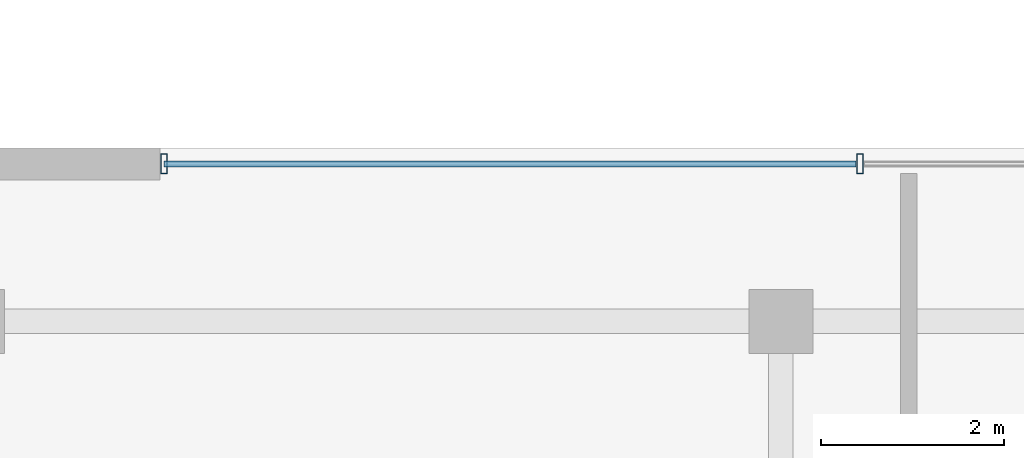
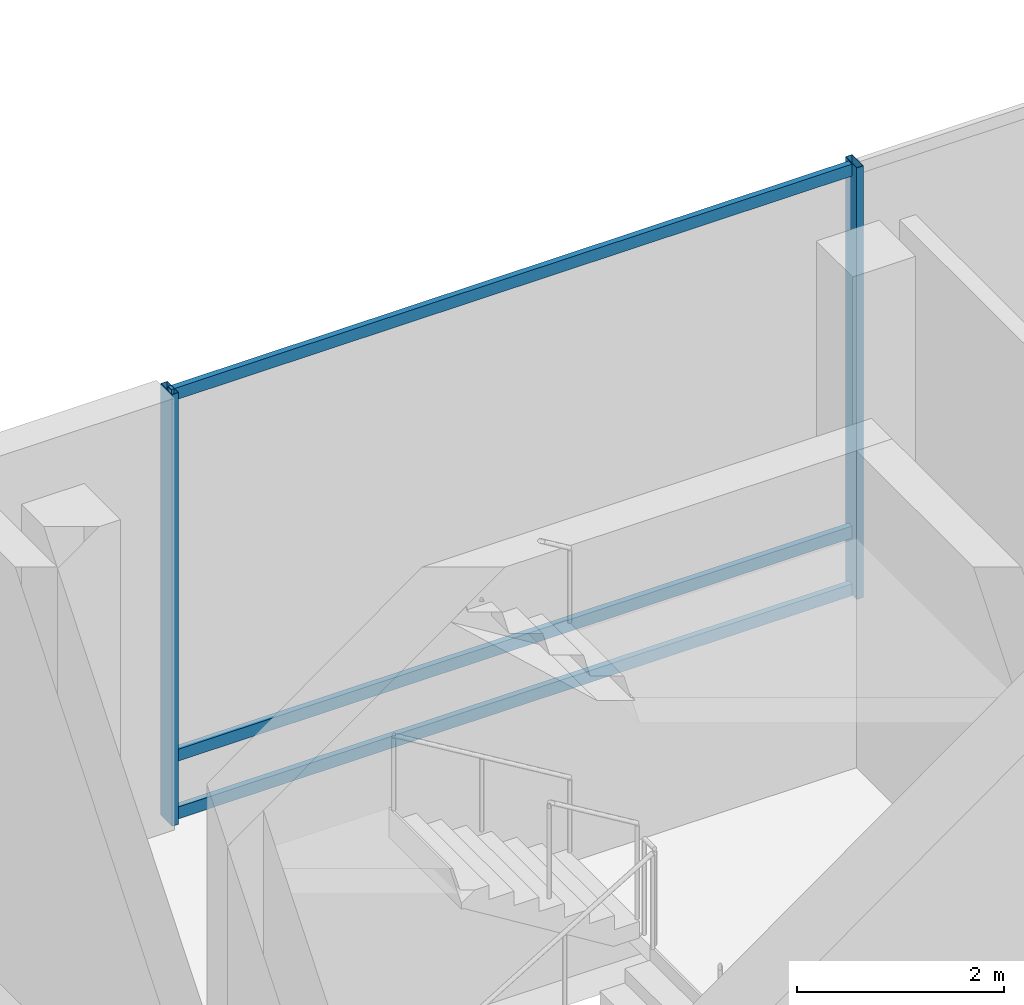
# One storey, part 7 of 22: 5 members, 1 element without a shape of its own.
"""IFC4 building model written with IfcOpenShell, lengths in metres."""

from ifc_helpers import new_model, si_unit, direction, frame, origin, origin_2d, place, context, subcontext, project, spatial, hollow_rectangle, extrude, material, layer, layer_set, material_profile, profile_set, type_object, element, aggregate, save


model = new_model("IFC4")

# Units and contexts
model_context = context("Model", 3, precision=1e-05, world=origin(), true_north=direction((0.0, 1.0)))
body_context = subcontext(model_context, "Body", "Model", "MODEL_VIEW")
ifc_project = project(units=[si_unit("LENGTHUNIT", "METRE"), si_unit("AREAUNIT", "SQUARE_METRE"), si_unit("VOLUMEUNIT", "CUBIC_METRE"), si_unit("PLANEANGLEUNIT", "RADIAN"), si_unit("MASSUNIT", "GRAM", prefix="KILO")], contexts=[model_context])

# Site, building, storey
site_placement = place(None, origin())
site = spatial("IfcSite", under=ifc_project, at=site_placement, CompositionType="ELEMENT")
building_placement = place(site_placement, origin())
building = spatial("IfcBuilding", under=site, at=building_placement, Name="Barlavira Tower and Art Museum", CompositionType="ELEMENT")
storey_placement = place(building_placement, frame((0.0, 0.0, 16.800048828125)))
storey = spatial("IfcBuildingStorey", under=building, at=storey_placement, Name="L03", CompositionType="ELEMENT", Elevation=16.800048828125)

# Curtain wall, members
ifc_material_1 = material(Name="Low-iron coastal laminated glass", Category="glass")
ifc_layer = layer(ifc_material_1, 0.199951171875, Name="Low-iron coastal laminated glass")
ifc_layer_set = layer_set([ifc_layer], Name="Low-iron coastal laminated glass")
curtain_wall_type = type_object("IfcCurtainWallType", Name="Coastal Art Museum North-Light Curtain Wall", PredefinedType="NOTDEFINED", material=ifc_layer_set)
curtain_wall_placement = place(storey_placement, origin())
curtain_wall = element("IfcCurtainWall", 1, at=curtain_wall_placement, inside=storey, type_object=curtain_wall_type, Name="L03 Curtain Wall CW6-MUS-L03-N", PredefinedType="NOTDEFINED")
ifc_material_2 = material(Name="Pale anodised aluminium", Category="aluminium")
ifc_material_profile_1 = material_profile(ifc_material_2, hollow_rectangle(XDim=0.074951171875, YDim=0.219970703125, WallThickness=0.0048828125, at=origin_2d()), Name="ALU-MULL 75x220x5")
ifc_profile_set_1 = profile_set([ifc_material_profile_1], Name="Pale anodised aluminium")
member_type_1 = type_object("IfcMemberType", Name="Curtain Wall Heavy Pale-Metal Mullion 75x220", PredefinedType="MULLION", material=ifc_profile_set_1)
member_1_placement = place(storey_placement, frame((39.666748046875, 23.824951171875, 0.0), z_axis=(0.0, 0.0, 1.0), x_axis=(-1.0, 0.0, 0.0)))
member_1 = element("IfcMember", 2, at=member_1_placement, type_object=member_type_1, Name="CW6-MUS-L03-N Mullion 2", PredefinedType="MULLION", context=body_context, shape_type="SweptSolid", body=[
    extrude(hollow_rectangle(XDim=0.074951171875, YDim=0.219970703125, WallThickness=0.0048828125, at=origin_2d()), origin(), (0.0, 0.0, 1.0), 5.079833984375),
])
member_2_placement = place(storey_placement, frame((32.044921875, 23.824951171875, 0.0), z_axis=(0.0, 0.0, 1.0), x_axis=(-1.0, 0.0, 0.0)))
member_2 = element("IfcMember", 3, at=member_2_placement, type_object=member_type_1, Name="CW6-MUS-L03-N Mullion 3", PredefinedType="MULLION", context=body_context, shape_type="SweptSolid", body=[
    extrude(hollow_rectangle(XDim=0.074951171875, YDim=0.219970703125, WallThickness=0.0048828125, at=origin_2d()), origin(), (0.0, 0.0, 1.0), 5.079833984375),
])
ifc_material_profile_2 = material_profile(ifc_material_2, hollow_rectangle(XDim=0.06494140625, YDim=0.139892578125, WallThickness=0.00390625, at=origin_2d()), Name="ALU-TRAN 65x140x4")
ifc_profile_set_2 = profile_set([ifc_material_profile_2], Name="Pale anodised aluminium")
member_type_2 = type_object("IfcMemberType", Name="Curtain Wall Pale-Metal Transom 65x140", PredefinedType="USERDEFINED", material=ifc_profile_set_2)
member_3_placement = place(storey_placement, frame((39.62158203125, 23.824951171875, 0.070068359375), z_axis=(-1.0, 0.0, 0.0), x_axis=(0.0, -1.0, 0.0)))
member_3 = element("IfcMember", 4, at=member_3_placement, type_object=member_type_2, Name="CW6-MUS-L03-N Transom 2.1", ObjectType="TRANSOM", PredefinedType="USERDEFINED", context=body_context, shape_type="SweptSolid", body=[
    extrude(hollow_rectangle(XDim=0.06494140625, YDim=0.139892578125, WallThickness=0.00390625, at=origin_2d()), origin(), (0.0, 0.0, 1.0), 7.57666015625),
])
member_4_placement = place(storey_placement, frame((39.62158203125, 23.824951171875, 0.75), z_axis=(-1.0, 0.0, 0.0), x_axis=(0.0, -1.0, 0.0)))
member_4 = element("IfcMember", 5, at=member_4_placement, type_object=member_type_2, Name="CW6-MUS-L03-N Transom 2.2", ObjectType="TRANSOM", PredefinedType="USERDEFINED", context=body_context, shape_type="SweptSolid", body=[
    extrude(hollow_rectangle(XDim=0.06494140625, YDim=0.139892578125, WallThickness=0.00390625, at=origin_2d()), origin(), (0.0, 0.0, 1.0), 7.57666015625),
])
member_5_placement = place(storey_placement, frame((39.62158203125, 23.824951171875, 5.010009765625), z_axis=(-1.0, 0.0, 0.0), x_axis=(0.0, -1.0, 0.0)))
member_5 = element("IfcMember", 6, at=member_5_placement, type_object=member_type_2, Name="CW6-MUS-L03-N Transom 2.3", ObjectType="TRANSOM", PredefinedType="USERDEFINED", context=body_context, shape_type="SweptSolid", body=[
    extrude(hollow_rectangle(XDim=0.06494140625, YDim=0.139892578125, WallThickness=0.00390625, at=origin_2d()), origin(), (0.0, 0.0, 1.0), 7.57666015625),
])
aggregate(curtain_wall, [member_1, member_2, member_3, member_4, member_5])

save(model, "model.ifc")
